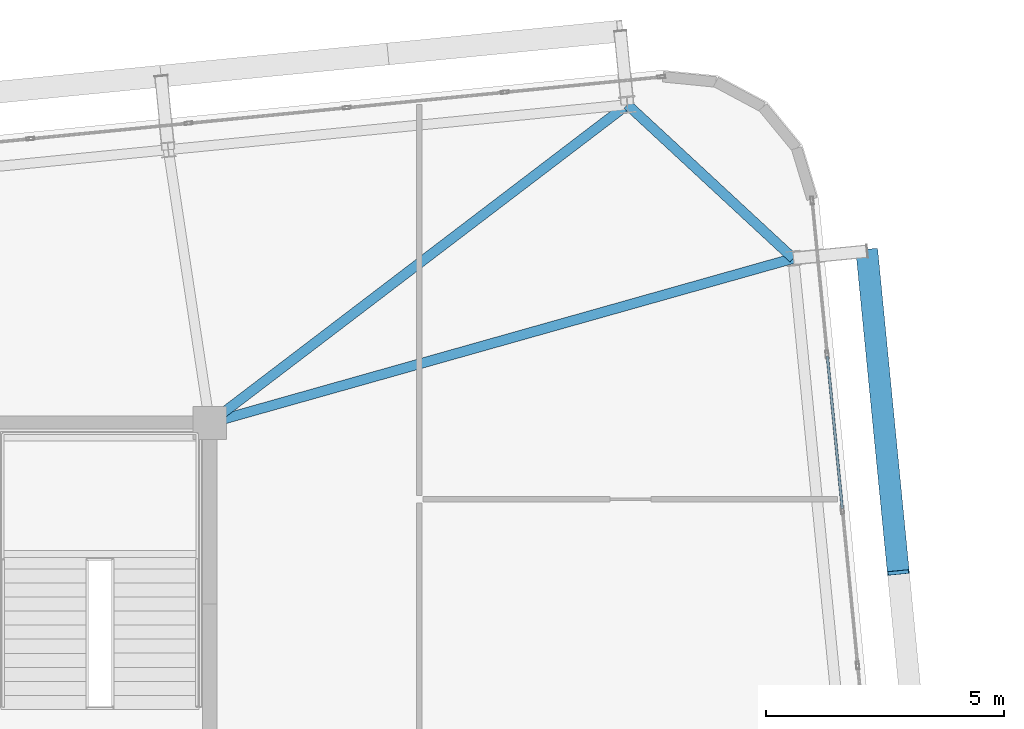
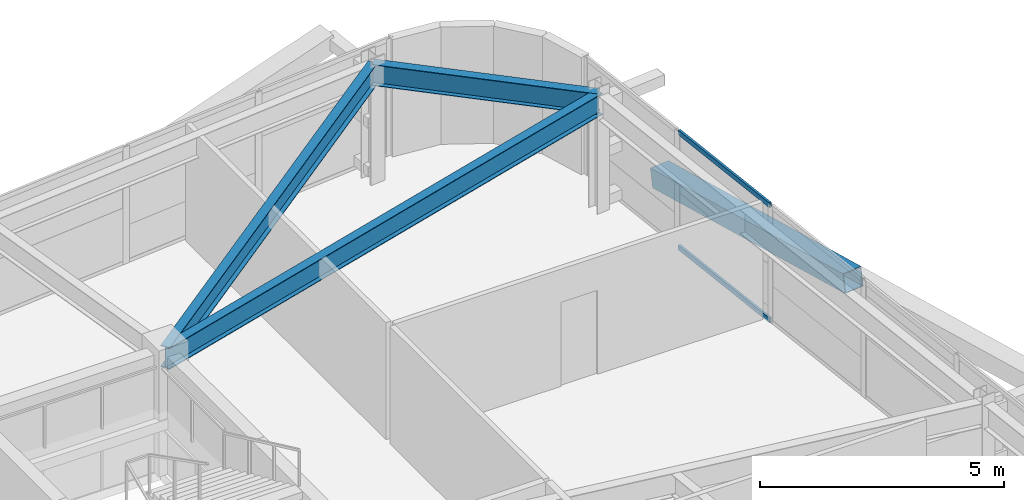
# One storey, part 34 of 53: 3 beams, 3 members, 1 element without a shape of its own.
"""IFC4 building model written with IfcOpenShell, lengths in metres."""

import ifcopenshell
import ifcopenshell.guid

model = None  # the IFC model being written
_history = None  # IfcOwnerHistory: only IFC2X3 demands one
_inside = {}  # id of a spatial element -> (the spatial element, [elements in it])
_under = {}  # id of a project, library or spatial element -> (it, [spatial elements below it])
_declared = {}  # id of a project -> (the project, [libraries it declares])
_typed = {}  # id of a type object -> (the type object, [elements of that type])
_made_of = {}  # id of a material, layer set ... -> (it, [elements and type objects made of it])


def new_model(schema):
    """Start an empty IFC model of exactly this schema.

    Asked for "IFC4X3", IfcOpenShell would pick the latest addendum, in which some entities
    have other attributes; the version numbers below select the first issue.
    IFC2X3 requires an IfcOwnerHistory on every rooted entity: one is made here for all.
    """
    global model, _history
    if schema == "IFC4X3":
        model = ifcopenshell.file(schema_version=(4, 3, 0, 0))
    else:
        model = ifcopenshell.file(schema=schema)
    _inside.clear()
    _under.clear()
    _declared.clear()
    _typed.clear()
    _made_of.clear()
    _history = None
    if model.schema == "IFC2X3":
        org = make("IfcOrganization", Name="unknown")
        user = make(
            "IfcPersonAndOrganization",
            ThePerson=make("IfcPerson", FamilyName="unknown"),
            TheOrganization=org,
        )
        app = make(
            "IfcApplication",
            ApplicationDeveloper=org,
            Version="unknown",
            ApplicationFullName="unknown",
            ApplicationIdentifier="unknown",
        )
        _history = make(
            "IfcOwnerHistory",
            OwningUser=user,
            OwningApplication=app,
            ChangeAction="ADDED",
            CreationDate=0,
        )
    return model


def make(cls, **values):
    """One entity of the class cls with the attributes given. An attribute that is None is left unset."""
    return model.create_entity(
        cls, **{name: value for name, value in values.items() if value is not None}
    )


def rooted(cls, **values):
    """An entity with a GlobalId (a new one), such as an element, a storey or a relation."""
    return make(cls, GlobalId=ifcopenshell.guid.new(), OwnerHistory=_history, **values)


def si_unit(unit_type, name, prefix=None):
    """IfcSIUnit, for example si_unit("LENGTHUNIT", "METRE", prefix="MILLI")."""
    return make("IfcSIUnit", UnitType=unit_type, Prefix=prefix, Name=name)


def assignment(units):
    """IfcUnitAssignment: the units of a project."""
    return None if units is None else make("IfcUnitAssignment", Units=units)


def point(xyz):
    """IfcCartesianPoint."""
    return None if xyz is None else make("IfcCartesianPoint", Coordinates=xyz)


def direction(xyz):
    """IfcDirection."""
    return None if xyz is None else make("IfcDirection", DirectionRatios=xyz)


def frame(location, z_axis=None, x_axis=None):
    """IfcAxis2Placement3D, a coordinate frame: its origin and axes. An axis left out is left unset."""
    return make(
        "IfcAxis2Placement3D",
        Location=point(location),
        Axis=direction(z_axis),
        RefDirection=direction(x_axis),
    )


def frame_2d(location, x_axis=None):
    """IfcAxis2Placement2D, a coordinate frame in the plane: its origin and x axis."""
    return make(
        "IfcAxis2Placement2D", Location=point(location), RefDirection=direction(x_axis)
    )


def origin():
    """The frame at (0, 0, 0) with its axes left unset."""
    return frame((0.0, 0.0, 0.0))


def origin_2d():
    """The frame at (0, 0) in the plane with its x axis left unset."""
    return frame_2d((0.0, 0.0))


def place(relative_to, where):
    """IfcLocalPlacement: puts the frame where relative to a parent placement (None: the world)."""
    return make(
        "IfcLocalPlacement", PlacementRelTo=relative_to, RelativePlacement=where
    )


def context(
    kind, dimensions, precision=None, world=None, true_north=None, identifier=None
):
    """IfcGeometricRepresentationContext, for example the 3D "Model" context."""
    return make(
        "IfcGeometricRepresentationContext",
        ContextIdentifier=identifier,
        ContextType=kind,
        CoordinateSpaceDimension=dimensions,
        Precision=precision,
        WorldCoordinateSystem=world,
        TrueNorth=true_north,
    )


def subcontext(parent, identifier, kind, view, scale=None):
    """IfcGeometricRepresentationSubContext, for example "Body" below "Model"."""
    return make(
        "IfcGeometricRepresentationSubContext",
        ContextIdentifier=identifier,
        ContextType=kind,
        ParentContext=parent,
        TargetScale=scale,
        TargetView=view,
    )


def project(units=None, contexts=None):
    """IfcProject with its units and contexts."""
    return rooted(
        "IfcProject",
        Name="project",
        RepresentationContexts=contexts,
        UnitsInContext=assignment(units),
    )


def spatial(cls, under=None, at=None, **own):
    """A site, building, storey or space (cls), placed at a placement, below another one or the project."""
    s = rooted(cls, ObjectPlacement=at, **own)
    if under is not None:
        _under.setdefault(under.id(), (under, []))[1].append(s)
    return s


def profile(cls, at=None, kind="AREA", **sizes):
    """A parametric profile (cls). Its sizes go by their IFC names, for example OverallWidth=200.0."""
    return make(cls, ProfileType=kind, Position=at, **sizes)


def hollow_rectangle(**sizes):
    """IfcRectangleHollowProfileDef."""
    return profile("IfcRectangleHollowProfileDef", **sizes)


def i_section(**sizes):
    """IfcIShapeProfileDef."""
    return profile("IfcIShapeProfileDef", **sizes)


def extrude(swept, where, along, depth):
    """IfcExtrudedAreaSolid: the profile swept, set in the frame where, extruded along a direction by depth."""
    return make(
        "IfcExtrudedAreaSolid",
        SweptArea=swept,
        Position=where,
        ExtrudedDirection=direction(along),
        Depth=depth,
    )


def shape(context_of_items, identifier, shape_type, items):
    """IfcShapeRepresentation: the items that make up one representation, for example the "Body"."""
    return make(
        "IfcShapeRepresentation",
        ContextOfItems=context_of_items,
        RepresentationIdentifier=identifier,
        RepresentationType=shape_type,
        Items=items,
    )


def source(mapping_origin, context_of_items, identifier, shape_type, items):
    """IfcRepresentationMap: a shape defined once, which mapped items show again and again."""
    return make(
        "IfcRepresentationMap",
        MappingOrigin=mapping_origin,
        MappedRepresentation=shape(context_of_items, identifier, shape_type, items),
    )


def transform(
    local_origin,
    x_axis=None,
    y_axis=None,
    z_axis=None,
    scale=None,
    scale2=None,
    scale3=None,
    uniform=True,
):
    """IfcCartesianTransformationOperator3D, or its non-uniform kind. x_axis, y_axis, z_axis: its Axis1, 2, 3."""
    if uniform:
        return make(
            "IfcCartesianTransformationOperator3D",
            Axis1=direction(x_axis),
            Axis2=direction(y_axis),
            LocalOrigin=point(local_origin),
            Scale=scale,
            Axis3=direction(z_axis),
        )
    return make(
        "IfcCartesianTransformationOperator3DnonUniform",
        Axis1=direction(x_axis),
        Axis2=direction(y_axis),
        LocalOrigin=point(local_origin),
        Scale=scale,
        Axis3=direction(z_axis),
        Scale2=scale2,
        Scale3=scale3,
    )


def mapped(mapping_source, mapping_target):
    """IfcMappedItem: shows the shape of a source again, moved by a transform."""
    return make(
        "IfcMappedItem", MappingSource=mapping_source, MappingTarget=mapping_target
    )


def material(Name=None, Category=None):
    """IfcMaterial."""
    return make("IfcMaterial", Name=Name, Category=Category)


def layer(
    of_material, thickness, ventilated=None, Name=None, Category=None, Priority=None
):
    """IfcMaterialLayer: one layer of a wall or slab, of a material (None: an air gap)."""
    return make(
        "IfcMaterialLayer",
        Material=of_material,
        LayerThickness=thickness,
        IsVentilated=ventilated,
        Name=Name,
        Category=Category,
        Priority=Priority,
    )


def layer_set(layers, Name=None):
    """IfcMaterialLayerSet."""
    return make("IfcMaterialLayerSet", MaterialLayers=layers, LayerSetName=Name)


def material_profile(
    of_material, cross_section, Name=None, Category=None, Priority=None
):
    """IfcMaterialProfile: a cross section and its material."""
    return make(
        "IfcMaterialProfile",
        Name=Name,
        Material=of_material,
        Profile=cross_section,
        Priority=Priority,
        Category=Category,
    )


def profile_set(profiles, Name=None, composite=None):
    """IfcMaterialProfileSet."""
    return make(
        "IfcMaterialProfileSet",
        Name=Name,
        MaterialProfiles=profiles,
        CompositeProfile=composite,
    )


def made_of(thing, what):
    """Note that an element or type object is made of a material, layer set ...; save() writes the relation."""
    if what is not None:
        _made_of.setdefault(what.id(), (what, []))[1].append(thing)
    return thing


def type_object(cls, material=None, **own):
    """A type object (cls), such as IfcWallType, which elements share."""
    return made_of(rooted(cls, **own), material)


def element(
    cls,
    number,
    at=None,
    inside=None,
    cuts=None,
    type_object=None,
    material=None,
    context=None,
    identifier="Body",
    shape_type=None,
    held_by="IfcProductDefinitionShape",
    body=None,
    shapes=None,
    **own,
):
    """One element of the class cls, such as IfcWall. Its Tag is "e" and its number.

    at: its placement. inside: the storey or other place that contains it. cuts: it is an
    opening in that element (IfcRelVoidsElement). A single representation is given by context,
    identifier, shape_type and body (its items); several are given by shapes. held_by: the class
    of the entity that holds the representations. save() writes the other relations.
    """
    e = rooted(cls, Tag="e%d" % number, ObjectPlacement=at, **own)
    if body is not None:
        shapes = [shape(context, identifier, shape_type, body)]
    if shapes is not None:
        e.Representation = make(held_by, Representations=shapes)
    if inside is not None:
        _inside.setdefault(inside.id(), (inside, []))[1].append(e)
    if cuts is not None:
        rooted(
            "IfcRelVoidsElement", RelatingBuildingElement=cuts, RelatedOpeningElement=e
        )
    if type_object is not None:
        _typed.setdefault(type_object.id(), (type_object, []))[1].append(e)
    return made_of(e, material)


def aggregate(whole, parts):
    """IfcRelAggregates: a whole, such as a stair, and the parts it consists of."""
    return rooted("IfcRelAggregates", RelatingObject=whole, RelatedObjects=parts)


def save(model, path):
    """Write the relations noted so far, then the file.

    IfcRelAggregates (storeys below a building ...), IfcRelContainedInSpatialStructure (elements
    in a storey), IfcRelDefinesByType, IfcRelAssociatesMaterial and IfcRelDeclares: one each for
    every whole, place, type object, material and project.
    """
    for whole, parts in _under.values():
        aggregate(whole, parts)
    for where, things in _inside.values():
        rooted(
            "IfcRelContainedInSpatialStructure",
            RelatedElements=things,
            RelatingStructure=where,
        )
    for kind, things in _typed.values():
        rooted("IfcRelDefinesByType", RelatedObjects=things, RelatingType=kind)
    for what, things in _made_of.values():
        rooted("IfcRelAssociatesMaterial", RelatedObjects=things, RelatingMaterial=what)
    for by, libraries in _declared.values():
        rooted("IfcRelDeclares", RelatingContext=by, RelatedDefinitions=libraries)
    model.write(path)


model = new_model("IFC4")

# Units and contexts
model_context = context("Model", 3, precision=1e-05, world=origin(), true_north=direction((0.0, 1.0)))
body_context = subcontext(model_context, "Body", "Model", "MODEL_VIEW")
ifc_project = project(units=[si_unit("LENGTHUNIT", "METRE"), si_unit("AREAUNIT", "SQUARE_METRE"), si_unit("VOLUMEUNIT", "CUBIC_METRE"), si_unit("PLANEANGLEUNIT", "RADIAN"), si_unit("MASSUNIT", "GRAM", prefix="KILO")], contexts=[model_context])

# Site, building, storey
site_placement = place(None, origin())
site = spatial("IfcSite", under=ifc_project, at=site_placement, CompositionType="ELEMENT")
building_placement = place(site_placement, origin())
building = spatial("IfcBuilding", under=site, at=building_placement, Name="Taldren Reach Tower", CompositionType="ELEMENT")
storey_placement = place(building_placement, frame((0.0, 0.0, 80.85009765625)))
storey = spatial("IfcBuildingStorey", under=building, at=storey_placement, Name="L24", CompositionType="ELEMENT", Elevation=80.85009765625)

# Beams
ifc_material_1 = material(Name="Steel Gr 350 (350PLUS)", Category="steel")
ifc_material_profile_1 = material_profile(ifc_material_1, i_section(OverallWidth=0.208984375, OverallDepth=0.528076171875, WebThickness=0.009521484375, FlangeThickness=0.01318359375, at=origin_2d()), Name="530UB82.0")
ifc_profile_set_1 = profile_set([ifc_material_profile_1], Name="Steel Gr 350 (350PLUS)")
beam_type_1 = type_object("IfcBeamType", Name="SP-UB530B", PredefinedType="SPANDREL", material=ifc_profile_set_1)
shared_shape_1 = source(origin(), body_context, "Body", "SweptSolid", [
    extrude(i_section(OverallWidth=0.208984375, OverallDepth=0.528076171875, WebThickness=0.009521484375, FlangeThickness=0.01318359375, at=origin_2d()), origin(), (0.0, 0.0, 1.0), 4.74609375),
])
beam_1_placement = place(storey_placement, frame((63.247314453125, 35.454345703125, 2.666015625), z_axis=(-0.733547883762, 0.679637772809, 0.0), x_axis=(-0.679637772809, -0.733547883762, 0.0)))
element("IfcBeam", 1, at=beam_1_placement, inside=storey, type_object=beam_type_1, Name="Perimeter spandrel B2 E3-N6 L24", PredefinedType="SPANDREL", context=body_context, shape_type="MappedRepresentation", body=[
    mapped(shared_shape_1, transform((0.0, 0.0, 0.0), scale=1.0)),
])
ifc_material_profile_2 = material_profile(ifc_material_1, i_section(OverallWidth=0.208984375, OverallDepth=0.532958984375, WebThickness=0.01025390625, FlangeThickness=0.015625, at=origin_2d()), Name="530UB92.4")
ifc_profile_set_2 = profile_set([ifc_material_profile_2], Name="Steel Gr 350 (350PLUS)")
beam_type_2 = type_object("IfcBeamType", Name="BM-UB530A", PredefinedType="BEAM", material=ifc_profile_set_2)
shared_shape_2 = source(origin(), body_context, "Body", "SweptSolid", [
    extrude(i_section(OverallWidth=0.208984375, OverallDepth=0.532958984375, WebThickness=0.01025390625, FlangeThickness=0.015625, at=origin_2d()), origin(), (0.0, 0.0, 1.0), 12.72509765625),
])
beam_2_placement = place(storey_placement, frame((51.0, 32.0, 2.663330078125), z_axis=(0.962450190096, 0.271458342264, 0.0), x_axis=(-0.271458342264, 0.962450190096, 0.0)))
element("IfcBeam", 2, at=beam_2_placement, inside=storey, type_object=beam_type_2, Name="Primary floor girder B2-E3 L24", PredefinedType="BEAM", context=body_context, shape_type="MappedRepresentation", body=[
    mapped(shared_shape_2, transform((0.0, 0.0, 0.0), scale=1.0)),
])
shared_shape_3 = source(origin(), body_context, "Body", "SweptSolid", [
    extrude(i_section(OverallWidth=0.208984375, OverallDepth=0.532958984375, WebThickness=0.01025390625, FlangeThickness=0.015625, at=origin_2d()), origin(), (0.0, 0.0, 1.0), 11.02099609375),
])
beam_3_placement = place(storey_placement, frame((51.0, 32.0, 2.663330078125), z_axis=(0.795380356763, 0.606110623629, 0.0), x_axis=(-0.606110623629, 0.795380356763, 0.0)))
element("IfcBeam", 3, at=beam_3_placement, inside=storey, type_object=beam_type_2, Name="Primary floor girder B2-N6 L24", PredefinedType="BEAM", context=body_context, shape_type="MappedRepresentation", body=[
    mapped(shared_shape_3, transform((0.0, 0.0, 0.0), scale=1.0)),
])

# Member
ifc_material_2 = material(Name="Steel Gr 450 (C450L0)", Category="steel")
ifc_material_profile_3 = material_profile(ifc_material_2, hollow_rectangle(XDim=0.4599609375, YDim=0.4599609375, WallThickness=0.01611328125, at=origin_2d()), Name="460x460x16.0SHS")
ifc_profile_set_3 = profile_set([ifc_material_profile_3], Name="Steel Gr 450 (C450L0)")
member_type_1 = type_object("IfcMemberType", Name="MB-EXO457", PredefinedType="BRACE", material=ifc_profile_set_3)
shared_shape_4 = source(origin(), body_context, "Body", "SweptSolid", [
    extrude(hollow_rectangle(XDim=0.4599609375, YDim=0.4599609375, WallThickness=0.01611328125, at=origin_2d()), origin(), (0.0, 0.0, 1.0), 6.883056640625),
])
member_1_placement = place(storey_placement, frame((64.789794921875, 35.60546875, 0.219970703125), z_axis=(0.096052059581, -0.979603316657, 0.176497432967), x_axis=(0.995227290009, 0.097584021339, 0.0)))
element("IfcMember", 4, at=member_1_placement, inside=storey, type_object=member_type_1, Name="Exoskeleton Diagrid Brace B2-E2 L24", PredefinedType="BRACE", context=body_context, shape_type="MappedRepresentation", body=[
    mapped(shared_shape_4, transform((0.0, 0.0, 0.0), scale=1.0)),
])

# Curtain wall, members
ifc_material_3 = material(Name="Aluminium and Low-E Glass Unitised System", Category="aluminium")
ifc_layer = layer(ifc_material_3, 0.159912109375)
ifc_layer_set = layer_set([ifc_layer], Name="Aluminium and Low-E Glass Unitised System")
curtain_wall_type = type_object("IfcCurtainWallType", Name="CW-SYS-3", PredefinedType="NOTDEFINED", material=ifc_layer_set)
curtain_wall_placement = place(storey_placement, origin())
curtain_wall = element("IfcCurtainWall", 5, at=curtain_wall_placement, inside=storey, type_object=curtain_wall_type, Name="Unitised curtain wall CW-L24-E", PredefinedType="NOTDEFINED")
ifc_material_4 = material(Name="Anodised Aluminium 6063-T6", Category="aluminium")
ifc_material_profile_4 = material_profile(ifc_material_4, hollow_rectangle(XDim=0.054931640625, YDim=0.1201171875, WallThickness=0.0029296875, at=origin_2d()), Name="ALU-120x55x3RHS")
ifc_profile_set_4 = profile_set([ifc_material_profile_4], Name="Anodised Aluminium 6063-T6")
member_type_2 = type_object("IfcMemberType", Name="CW-TRN-135", PredefinedType="USERDEFINED", material=ifc_profile_set_4)
shared_shape_5 = source(origin(), body_context, "Body", "SweptSolid", [
    extrude(hollow_rectangle(XDim=0.054931640625, YDim=0.1201171875, WallThickness=0.0029296875, at=origin_2d()), origin(), (0.0, 0.0, 1.0), 3.212890625),
])
member_2_placement = place(storey_placement, frame((64.274169921875, 30.206298828125, 0.02734375), z_axis=(-0.097569948235, 0.995228669805, 0.0), x_axis=(-0.995228669805, -0.097569948235, 0.0)))
member_2 = element("IfcMember", 6, at=member_2_placement, type_object=member_type_2, Name="CW-3 transom 8.1", ObjectType="TRANSOM", PredefinedType="USERDEFINED", context=body_context, shape_type="MappedRepresentation", body=[
    mapped(shared_shape_5, transform((0.0, 0.0, 0.0), scale=1.0)),
])
member_3_placement = place(storey_placement, frame((64.274169921875, 30.206298828125, 2.90234375), z_axis=(-0.097569948235, 0.995228669805, 0.0), x_axis=(-0.995228669805, -0.097569948235, 0.0)))
member_3 = element("IfcMember", 7, at=member_3_placement, type_object=member_type_2, Name="CW-3 transom 8.2", ObjectType="TRANSOM", PredefinedType="USERDEFINED", context=body_context, shape_type="MappedRepresentation", body=[
    mapped(shared_shape_5, transform((0.0, 0.0, 0.0), scale=1.0)),
])
aggregate(curtain_wall, [member_2, member_3])

save(model, "model.ifc")
